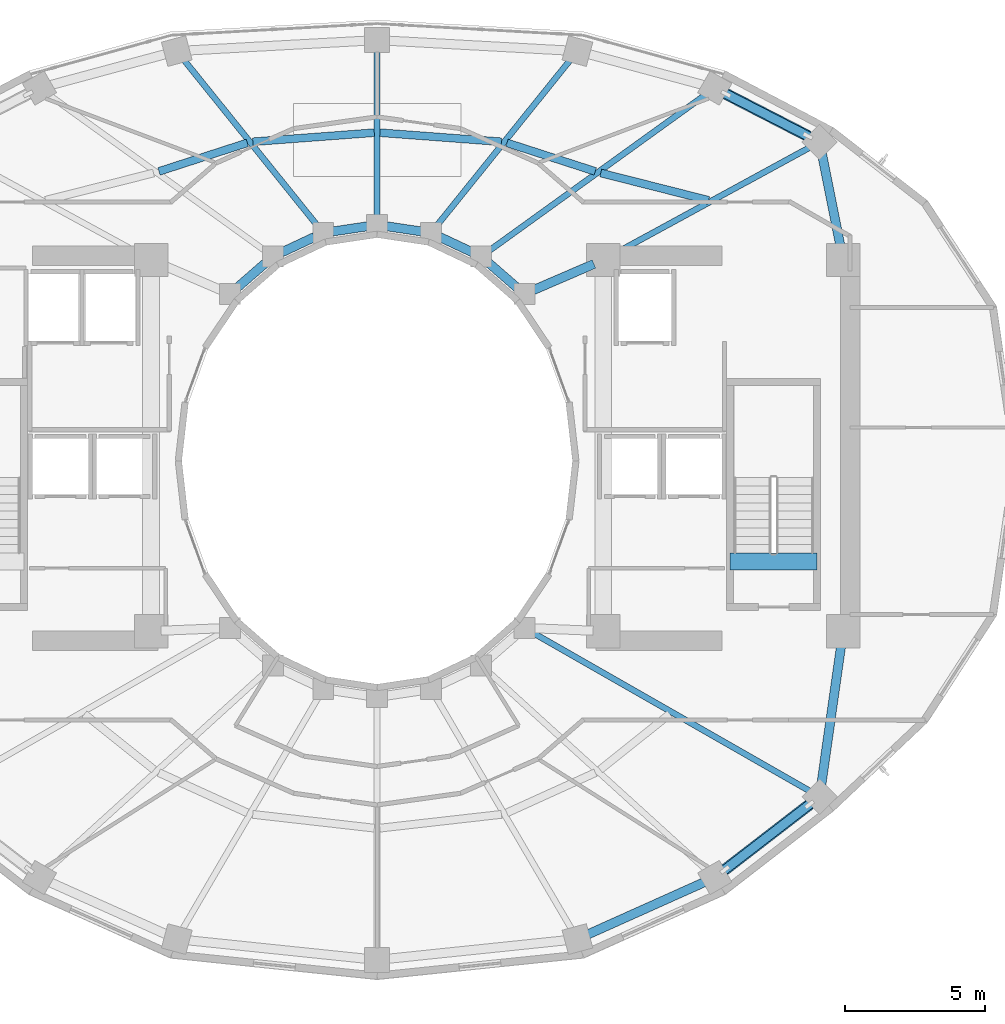
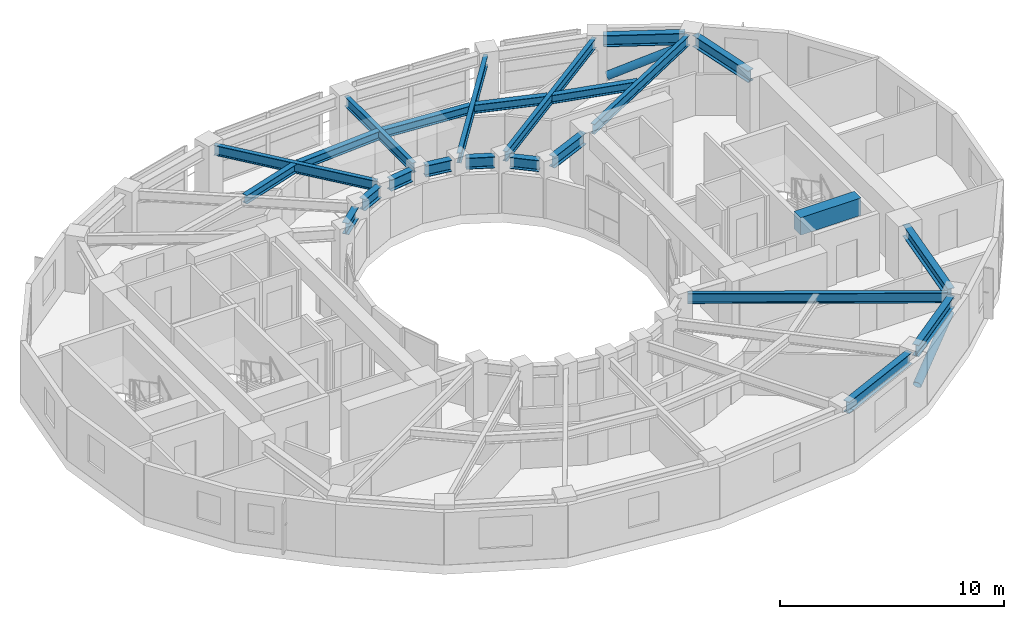
# One storey, part 10 of 20: 24 beams, 2 members.
"""IFC4 building model written with IfcOpenShell, lengths in metres."""

from ifc_helpers import new_model, si_unit, direction, frame, origin, origin_2d, place, context, subcontext, project, spatial, rectangle, hollow_circle, i_section, extrude, material, material_profile, profile_set, type_object, element, save


model = new_model("IFC4")

# Units and contexts
model_context = context("Model", 3, precision=1e-05, world=origin(), true_north=direction((0.0, 1.0)))
body_context = subcontext(model_context, "Body", "Model", "MODEL_VIEW")
ifc_project = project(units=[si_unit("LENGTHUNIT", "METRE"), si_unit("AREAUNIT", "SQUARE_METRE"), si_unit("VOLUMEUNIT", "CUBIC_METRE"), si_unit("PLANEANGLEUNIT", "RADIAN"), si_unit("MASSUNIT", "GRAM", prefix="KILO")], contexts=[model_context])

# Site, building, storey
site_placement = place(None, origin())
site = spatial("IfcSite", under=ifc_project, at=site_placement, CompositionType="ELEMENT")
building_placement = place(site_placement, origin())
building = spatial("IfcBuilding", under=site, at=building_placement, Name="Solvane Sanctuary Tower", CompositionType="ELEMENT")
storey_placement = place(building_placement, frame((0.0, 0.0, 137.39990234375)))
storey = spatial("IfcBuildingStorey", under=building, at=storey_placement, Name="L41", CompositionType="ELEMENT", Elevation=137.39990234375)

# Beams
ifc_material_1 = material(Name="Concrete C70/85", Category="concrete")
ifc_material_profile_1 = material_profile(ifc_material_1, rectangle(XDim=0.60009765625, YDim=0.949951171875, at=origin_2d()), Name="RC600X950")
ifc_profile_set_1 = profile_set([ifc_material_profile_1], Name="Concrete C70/85")
beam_type_1 = type_object("IfcBeamType", Name="Beam B-COUPLE RC600X950", PredefinedType="LINTEL", material=ifc_profile_set_1)
beam_1_placement = place(storey_placement, frame((44.64990234375, 19.399169921875, 2.625), z_axis=(1.0, 0.0, 0.0), x_axis=(0.0, 1.0, 0.0)))
element("IfcBeam", 1, at=beam_1_placement, inside=storey, type_object=beam_type_1, Name="L41 ST-2 Stair Floor Landing Trimmer", PredefinedType="LINTEL", context=body_context, shape_type="SweptSolid", body=[
    extrude(rectangle(XDim=0.60009765625, YDim=0.949951171875, at=origin_2d()), origin(), (0.0, 0.0, 1.0), 3.1201171875),
])
ifc_material_2 = material(Name="Steel ASTM A992 Grade 50", Category="steel")
ifc_material_profile_2 = material_profile(ifc_material_2, i_section(OverallWidth=0.214111328125, OverallDepth=0.549072265625, WebThickness=0.0146484375, FlangeThickness=0.023681640625, FilletRadius=0.014892578125, at=origin_2d()), Name="W21X93")
ifc_profile_set_2 = profile_set([ifc_material_profile_2], Name="Steel ASTM A992 Grade 50")
beam_type_2 = type_object("IfcBeamType", Name="Beam B-RAD-Z3 W21X93", PredefinedType="JOIST", material=ifc_profile_set_2)
beam_2_placement = place(storey_placement, frame((40.416015625, 30.372314453125, 2.603515625), z_axis=(0.878108435277, 0.478461676516, 0.0), x_axis=(-0.478461676516, 0.878108435277, 0.0)))
element("IfcBeam", 2, at=beam_2_placement, inside=storey, type_object=beam_type_2, Name="L41 Radial Composite Floor Beam 01", PredefinedType="JOIST", context=body_context, shape_type="SweptSolid", body=[
    extrude(i_section(OverallWidth=0.214111328125, OverallDepth=0.549072265625, WebThickness=0.0146484375, FlangeThickness=0.023681640625, FilletRadius=0.014892578125, at=origin_2d()), origin(), (0.0, 0.0, 1.0), 8.193359375),
])
beam_3_placement = place(storey_placement, frame((35.95703125, 30.490234375, 2.603515625), z_axis=(0.811184384633, 0.584790470277, 0.0), x_axis=(-0.584790470277, 0.811184384633, 0.0)))
element("IfcBeam", 3, at=beam_3_placement, inside=storey, type_object=beam_type_2, Name="L41 Radial Composite Floor Beam 02", PredefinedType="JOIST", context=body_context, shape_type="SweptSolid", body=[
    extrude(i_section(OverallWidth=0.214111328125, OverallDepth=0.549072265625, WebThickness=0.0146484375, FlangeThickness=0.023681640625, FilletRadius=0.014892578125, at=origin_2d()), origin(), (0.0, 0.0, 1.0), 9.756103515625),
])
beam_4_placement = place(storey_placement, frame((34.1064453125, 31.389892578125, 2.603515625), z_axis=(0.627296867999, 0.778780225352, 0.0), x_axis=(-0.778780225352, 0.627296867999, 0.0)))
element("IfcBeam", 4, at=beam_4_placement, inside=storey, type_object=beam_type_2, Name="L41 Radial Composite Floor Beam 03", PredefinedType="JOIST", context=body_context, shape_type="SweptSolid", body=[
    extrude(i_section(OverallWidth=0.214111328125, OverallDepth=0.549072265625, WebThickness=0.0146484375, FlangeThickness=0.023681640625, FilletRadius=0.014892578125, at=origin_2d()), origin(), (0.0, 0.0, 1.0), 7.805419921875),
])
beam_5_placement = place(storey_placement, frame((32.0, 31.739990234375, 2.603515625), z_axis=(0.0, 1.0, 0.0), x_axis=(-1.0, 0.0, 0.0)))
element("IfcBeam", 5, at=beam_5_placement, inside=storey, type_object=beam_type_2, Name="L41 Radial Composite Floor Beam 04", PredefinedType="JOIST", context=body_context, shape_type="SweptSolid", body=[
    extrude(i_section(OverallWidth=0.214111328125, OverallDepth=0.549072265625, WebThickness=0.0146484375, FlangeThickness=0.023681640625, FilletRadius=0.014892578125, at=origin_2d()), origin(), (0.0, 0.0, 1.0), 6.06005859375),
])
beam_6_placement = place(storey_placement, frame((29.8935546875, 31.389892578125, 2.603515625), z_axis=(-0.627296867999, 0.778780225352, 0.0), x_axis=(-0.778780225352, -0.627296867999, 0.0)))
element("IfcBeam", 6, at=beam_6_placement, inside=storey, type_object=beam_type_2, Name="L41 Radial Composite Floor Beam 05", PredefinedType="JOIST", context=body_context, shape_type="SweptSolid", body=[
    extrude(i_section(OverallWidth=0.214111328125, OverallDepth=0.549072265625, WebThickness=0.0146484375, FlangeThickness=0.023681640625, FilletRadius=0.014892578125, at=origin_2d()), origin(), (0.0, 0.0, 1.0), 7.805419921875),
])
beam_7_placement = place(storey_placement, frame((37.51806640625, 16.87890625, 2.603515625), z_axis=(0.86816302692, -0.496279113694, 0.0), x_axis=(0.496279113694, 0.86816302692, 0.0)))
element("IfcBeam", 7, at=beam_7_placement, inside=storey, type_object=beam_type_2, Name="L41 Radial Composite Floor Beam 14", PredefinedType="JOIST", context=body_context, shape_type="SweptSolid", body=[
    extrude(i_section(OverallWidth=0.214111328125, OverallDepth=0.549072265625, WebThickness=0.0146484375, FlangeThickness=0.023681640625, FilletRadius=0.014892578125, at=origin_2d()), origin(), (0.0, 0.0, 1.0), 11.62841796875),
])
ifc_material_profile_3 = material_profile(ifc_material_2, i_section(OverallWidth=0.324951171875, OverallDepth=0.615966796875, WebThickness=0.013916015625, FlangeThickness=0.021484375, FilletRadius=0.01611328125, at=origin_2d()), Name="W24X117")
ifc_profile_set_3 = profile_set([ifc_material_profile_3], Name="Steel ASTM A992 Grade 50")
beam_type_3 = type_object("IfcBeamType", Name="Beam B-RING-IN2 W24X117", PredefinedType="BEAM", material=ifc_profile_set_3)
beam_8_placement = place(storey_placement, frame((26.9853515625, 29.20849609375, 2.570068359375), z_axis=(0.754311313851, 0.656516901379, 0.0), x_axis=(-0.656516901379, 0.754311313851, 0.0)))
element("IfcBeam", 8, at=beam_8_placement, inside=storey, type_object=beam_type_3, Name="L41 Inner Light-Well Ring Beam IC07-IC06", PredefinedType="BEAM", context=body_context, shape_type="SweptSolid", body=[
    extrude(i_section(OverallWidth=0.324951171875, OverallDepth=0.615966796875, WebThickness=0.013916015625, FlangeThickness=0.021484375, FilletRadius=0.01611328125, at=origin_2d()), origin(), (0.0, 0.0, 1.0), 1.358154296875),
])
beam_9_placement = place(storey_placement, frame((28.582275390625, 30.473388671875, 2.570068359375), z_axis=(0.9051808128, 0.425026700502, 0.0), x_axis=(-0.425026700502, 0.9051808128, 0.0)))
element("IfcBeam", 9, at=beam_9_placement, inside=storey, type_object=beam_type_3, Name="L41 Inner Light-Well Ring Beam IC06-IC05", PredefinedType="BEAM", context=body_context, shape_type="SweptSolid", body=[
    extrude(i_section(OverallWidth=0.324951171875, OverallDepth=0.615966796875, WebThickness=0.013916015625, FlangeThickness=0.021484375, FilletRadius=0.01611328125, at=origin_2d()), origin(), (0.0, 0.0, 1.0), 1.297607421875),
])
for number, where, z_axis, x_axis, name in (
    (10, (30.410400390625, 31.22265625, 2.570068359375), (0.989019905763, 0.147782360259, 0.0), (-0.147782360259, 0.989019905763, 0.0), "L41 Inner Light-Well Ring Beam IC05-IC04"),
    (11, (32.34130859375, 31.4091796875, 2.570068359375), (0.989019905763, -0.147782360259, 0.0), (0.147782360259, 0.989019905763, 0.0), "L41 Inner Light-Well Ring Beam IC04-IC03"),
):
    element("IfcBeam", number, at=place(storey_placement, frame(where, z_axis=z_axis, x_axis=x_axis)), inside=storey, type_object=beam_type_3, Name=name, PredefinedType="BEAM", context=body_context, shape_type="SweptSolid", body=[
        extrude(i_section(OverallWidth=0.324951171875, OverallDepth=0.615966796875, WebThickness=0.013916015625, FlangeThickness=0.021484375, FilletRadius=0.01611328125, at=origin_2d()), origin(), (0.0, 0.0, 1.0), 1.26220703125),
    ])
beam_10_placement = place(storey_placement, frame((34.2431640625, 31.02490234375, 2.570068359375), z_axis=(0.9051808128, -0.425026700502, 0.0), x_axis=(0.425026700502, 0.9051808128, 0.0)))
element("IfcBeam", 12, at=beam_10_placement, inside=storey, type_object=beam_type_3, Name="L41 Inner Light-Well Ring Beam IC03-IC02", PredefinedType="BEAM", context=body_context, shape_type="SweptSolid", body=[
    extrude(i_section(OverallWidth=0.324951171875, OverallDepth=0.615966796875, WebThickness=0.013916015625, FlangeThickness=0.021484375, FilletRadius=0.01611328125, at=origin_2d()), origin(), (0.0, 0.0, 1.0), 1.297607421875),
])
beam_11_placement = place(storey_placement, frame((35.990234375, 30.10009765625, 2.570068359375), z_axis=(0.754311313851, -0.656516901379, 0.0), x_axis=(0.656516901379, 0.754311313851, 0.0)))
element("IfcBeam", 13, at=beam_11_placement, inside=storey, type_object=beam_type_3, Name="L41 Inner Light-Well Ring Beam IC02-IC01", PredefinedType="BEAM", context=body_context, shape_type="SweptSolid", body=[
    extrude(i_section(OverallWidth=0.324951171875, OverallDepth=0.615966796875, WebThickness=0.013916015625, FlangeThickness=0.021484375, FilletRadius=0.01611328125, at=origin_2d()), origin(), (0.0, 0.0, 1.0), 1.358154296875),
])
beam_12_placement = place(storey_placement, frame((37.591796875, 29.11865234375, 2.570068359375), z_axis=(0.918264067649, 0.395968561966, 0.0), x_axis=(-0.395968561966, 0.918264067649, 0.0)))
element("IfcBeam", 14, at=beam_12_placement, inside=storey, type_object=beam_type_3, Name="L41 Inner Light-Well Ring Beam IC01-CE4", PredefinedType="BEAM", context=body_context, shape_type="SweptSolid", body=[
    extrude(i_section(OverallWidth=0.324951171875, OverallDepth=0.615966796875, WebThickness=0.013916015625, FlangeThickness=0.021484375, FilletRadius=0.01611328125, at=origin_2d()), origin(), (0.0, 0.0, 1.0), 2.371337890625),
])
ifc_material_profile_4 = material_profile(ifc_material_2, i_section(OverallWidth=0.280029296875, OverallDepth=0.462890625, WebThickness=0.0107421875, FlangeThickness=0.017333984375, FilletRadius=0.013916015625, at=origin_2d()), Name="W18X76")
ifc_profile_set_4 = profile_set([ifc_material_profile_4], Name="Steel ASTM A992 Grade 50")
beam_type_4 = type_object("IfcBeamType", Name="Beam B-SEC-JOIST W18X76", PredefinedType="JOIST", material=ifc_profile_set_4)
beam_13_placement = place(storey_placement, frame((24.18310546875, 33.37451171875, 2.646484375), z_axis=(0.951520984169, 0.307583836842, 0.0), x_axis=(-0.307583836842, 0.951520984169, 0.0)))
element("IfcBeam", 15, at=beam_13_placement, inside=storey, type_object=beam_type_4, Name="L41 Secondary Circumferential Joist 06-05", PredefinedType="JOIST", context=body_context, shape_type="SweptSolid", body=[
    extrude(i_section(OverallWidth=0.280029296875, OverallDepth=0.462890625, WebThickness=0.0107421875, FlangeThickness=0.017333984375, FilletRadius=0.013916015625, at=origin_2d()), origin(), (0.0, 0.0, 1.0), 3.32666015625),
])
for number, where, z_axis, x_axis, name in (
    (16, (27.547119140625, 34.436767578125, 2.646484375), (0.99721035762, 0.074642498994, 0.0), (-0.074642498994, 0.99721035762, 0.0), "L41 Secondary Circumferential Joist 05-04"),
    (17, (32.101806640625, 34.762451171875, 2.646484375), (0.99721035762, -0.074642498994, 0.0), (0.074642498994, 0.99721035762, 0.0), "L41 Secondary Circumferential Joist 04-03"),
):
    element("IfcBeam", number, at=place(storey_placement, frame(where, z_axis=z_axis, x_axis=x_axis)), inside=storey, type_object=beam_type_4, Name=name, PredefinedType="JOIST", context=body_context, shape_type="SweptSolid", body=[
        extrude(i_section(OverallWidth=0.280029296875, OverallDepth=0.462890625, WebThickness=0.0107421875, FlangeThickness=0.017333984375, FilletRadius=0.013916015625, at=origin_2d()), origin(), (0.0, 0.0, 1.0), 4.36328125),
    ])
beam_14_placement = place(storey_placement, frame((36.651611328125, 34.397705078125, 2.646484375), z_axis=(0.951520984169, -0.307583836842, 0.0), x_axis=(0.307583836842, 0.951520984169, 0.0)))
element("IfcBeam", 18, at=beam_14_placement, inside=storey, type_object=beam_type_4, Name="L41 Secondary Circumferential Joist 03-02", PredefinedType="JOIST", context=body_context, shape_type="SweptSolid", body=[
    extrude(i_section(OverallWidth=0.280029296875, OverallDepth=0.462890625, WebThickness=0.0107421875, FlangeThickness=0.017333984375, FilletRadius=0.013916015625, at=origin_2d()), origin(), (0.0, 0.0, 1.0), 3.32666015625),
])
beam_15_placement = place(storey_placement, frame((40.012939453125, 33.31787109375, 2.646484375), z_axis=(0.969378020231, -0.245573316737, 0.0), x_axis=(0.245573316737, 0.969378020231, 0.0)))
element("IfcBeam", 19, at=beam_15_placement, inside=storey, type_object=beam_type_4, Name="L41 Secondary Circumferential Joist 02-01", PredefinedType="JOIST", context=body_context, shape_type="SweptSolid", body=[
    extrude(i_section(OverallWidth=0.280029296875, OverallDepth=0.462890625, WebThickness=0.0107421875, FlangeThickness=0.017333984375, FilletRadius=0.013916015625, at=origin_2d()), origin(), (0.0, 0.0, 1.0), 3.988525390625),
])
ifc_material_profile_5 = material_profile(ifc_material_2, i_section(OverallWidth=0.327880859375, OverallDepth=0.6279296875, WebThickness=0.0166015625, FlangeThickness=0.027587890625, FilletRadius=0.01611328125, at=origin_2d()), Name="W24X146")
ifc_profile_set_5 = profile_set([ifc_material_profile_5], Name="Steel ASTM A992 Grade 50")
beam_type_5 = type_object("IfcBeamType", Name="Beam B-SPAND-Z3 W24X146", PredefinedType="SPANDREL", material=ifc_profile_set_5)
beam_16_placement = place(storey_placement, frame((44.34716796875, 36.231201171875, 2.564208984375), z_axis=(0.889295540094, -0.457332966632, 0.0), x_axis=(0.457332966632, 0.889295540094, 0.0)))
element("IfcBeam", 20, at=beam_16_placement, inside=storey, type_object=beam_type_5, Name="L41 Perimeter Spandrel Beam TC02-TC01", PredefinedType="SPANDREL", context=body_context, shape_type="SweptSolid", body=[
    extrude(i_section(OverallWidth=0.327880859375, OverallDepth=0.6279296875, WebThickness=0.0166015625, FlangeThickness=0.027587890625, FilletRadius=0.01611328125, at=origin_2d()), origin(), (0.0, 0.0, 1.0), 3.66650390625),
])
beam_17_placement = place(storey_placement, frame((47.911376953125, 34.15185546875, 2.564208984375), z_axis=(0.195715452505, -0.980660727087, 0.0), x_axis=(0.980660727087, 0.195715452505, 0.0)))
element("IfcBeam", 21, at=beam_17_placement, inside=storey, type_object=beam_type_5, Name="L41 Perimeter Spandrel Beam TC01-CE3", PredefinedType="SPANDREL", context=body_context, shape_type="SweptSolid", body=[
    extrude(i_section(OverallWidth=0.327880859375, OverallDepth=0.6279296875, WebThickness=0.0166015625, FlangeThickness=0.027587890625, FilletRadius=0.01611328125, at=origin_2d()), origin(), (0.0, 0.0, 1.0), 3.749755859375),
])
beam_18_placement = place(storey_placement, frame((39.433837890625, 5.97998046875, 2.564208984375), z_axis=(0.912414349424, 0.409267705744, 0.0), x_axis=(-0.409267705744, 0.912414349424, 0.0)))
element("IfcBeam", 22, at=beam_18_placement, inside=storey, type_object=beam_type_5, Name="L41 Perimeter Spandrel Beam TC12-TC13", PredefinedType="SPANDREL", context=body_context, shape_type="SweptSolid", body=[
    extrude(i_section(OverallWidth=0.327880859375, OverallDepth=0.6279296875, WebThickness=0.0166015625, FlangeThickness=0.027587890625, FilletRadius=0.01611328125, at=origin_2d()), origin(), (0.0, 0.0, 1.0), 4.831787109375),
])
beam_19_placement = place(storey_placement, frame((44.31982421875, 8.242919921875, 2.564208984375), z_axis=(0.792020773873, 0.610494139001, 0.0), x_axis=(-0.610494139001, 0.792020773873, 0.0)))
element("IfcBeam", 23, at=beam_19_placement, inside=storey, type_object=beam_type_5, Name="L41 Perimeter Spandrel Beam TC13-TC14", PredefinedType="SPANDREL", context=body_context, shape_type="SweptSolid", body=[
    extrude(i_section(OverallWidth=0.327880859375, OverallDepth=0.6279296875, WebThickness=0.0166015625, FlangeThickness=0.027587890625, FilletRadius=0.01611328125, at=origin_2d()), origin(), (0.0, 0.0, 1.0), 4.185302734375),
])
beam_20_placement = place(storey_placement, frame((47.89599609375, 11.24609375, 2.564208984375), z_axis=(0.140798255486, 0.990038307972, 0.0), x_axis=(-0.990038307972, 0.140798255486, 0.0)))
element("IfcBeam", 24, at=beam_20_placement, inside=storey, type_object=beam_type_5, Name="L41 Perimeter Spandrel Beam TC14-CE2", PredefinedType="SPANDREL", context=body_context, shape_type="SweptSolid", body=[
    extrude(i_section(OverallWidth=0.327880859375, OverallDepth=0.6279296875, WebThickness=0.0166015625, FlangeThickness=0.027587890625, FilletRadius=0.01611328125, at=origin_2d()), origin(), (0.0, 0.0, 1.0), 5.430908203125),
])

# Members
ifc_material_profile_6 = material_profile(ifc_material_2, hollow_circle(Radius=0.202880859375, WallThickness=0.012451171875, at=origin_2d()), Name="CHS406X12.5")
ifc_profile_set_6 = profile_set([ifc_material_profile_6], Name="Steel ASTM A992 Grade 50")
member_type = type_object("IfcMemberType", Name="Member M-TUBE-Z3 CHS406X12.5", PredefinedType="BRACE", material=ifc_profile_set_6)
member_1_placement = place(storey_placement, frame((44.5068359375, 36.149169921875, 0.58349609375), z_axis=(0.813229340921, -0.418236115998, 0.404643782036), x_axis=(0.457351371069, 0.889286075108, 0.0)))
element("IfcMember", 25, at=member_1_placement, inside=storey, type_object=member_type, Name="L41 Perimeter Braced-Tube Diagonal NE", PredefinedType="BRACE", context=body_context, shape_type="SweptSolid", body=[
    extrude(hollow_circle(Radius=0.202880859375, WallThickness=0.012451171875, at=origin_2d()), origin(), (0.0, 0.0, 1.0), 3.59228515625),
])
member_2_placement = place(storey_placement, frame((44.465087890625, 8.354736328125, 0.562744140625), z_axis=(0.73686018058, 0.568005062922, 0.366616042707), x_axis=(-0.610513708364, 0.792005689311, 0.0)))
element("IfcMember", 26, at=member_2_placement, inside=storey, type_object=member_type, Name="L41 Perimeter Braced-Tube Diagonal SE", PredefinedType="BRACE", context=body_context, shape_type="SweptSolid", body=[
    extrude(hollow_circle(Radius=0.202880859375, WallThickness=0.012451171875, at=origin_2d()), origin(), (0.0, 0.0, 1.0), 4.104736328125),
])

save(model, "model.ifc")
